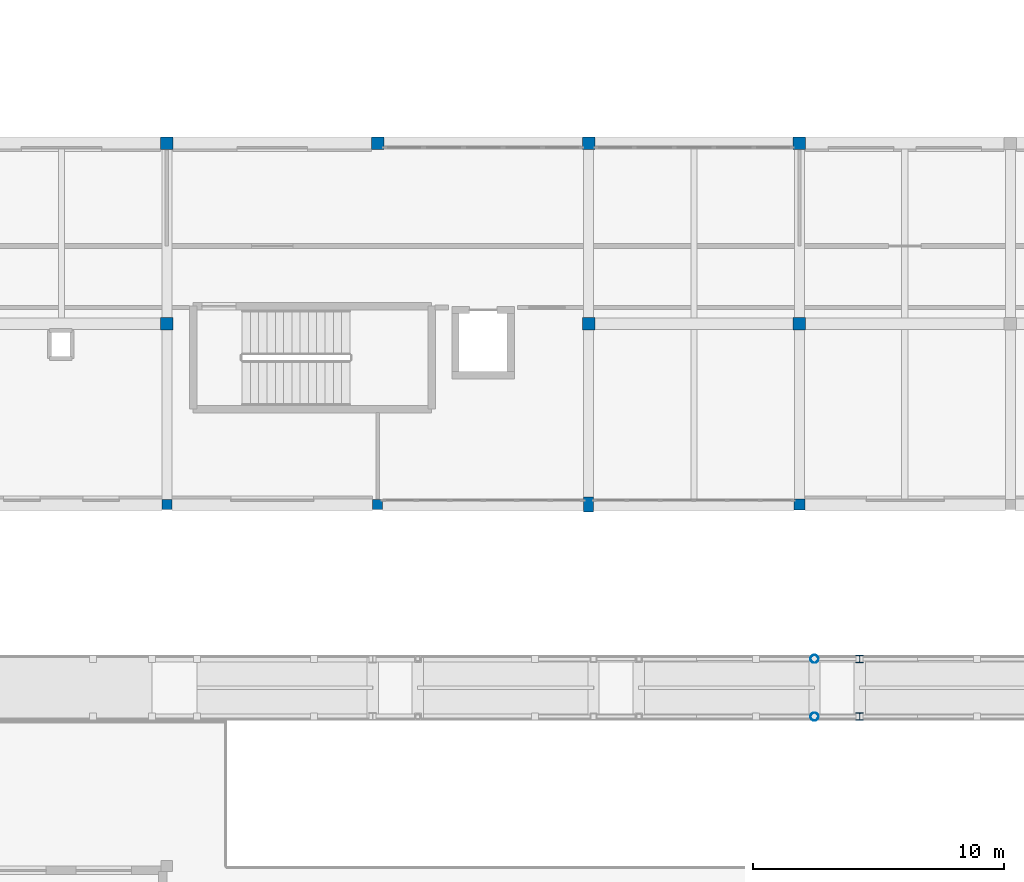
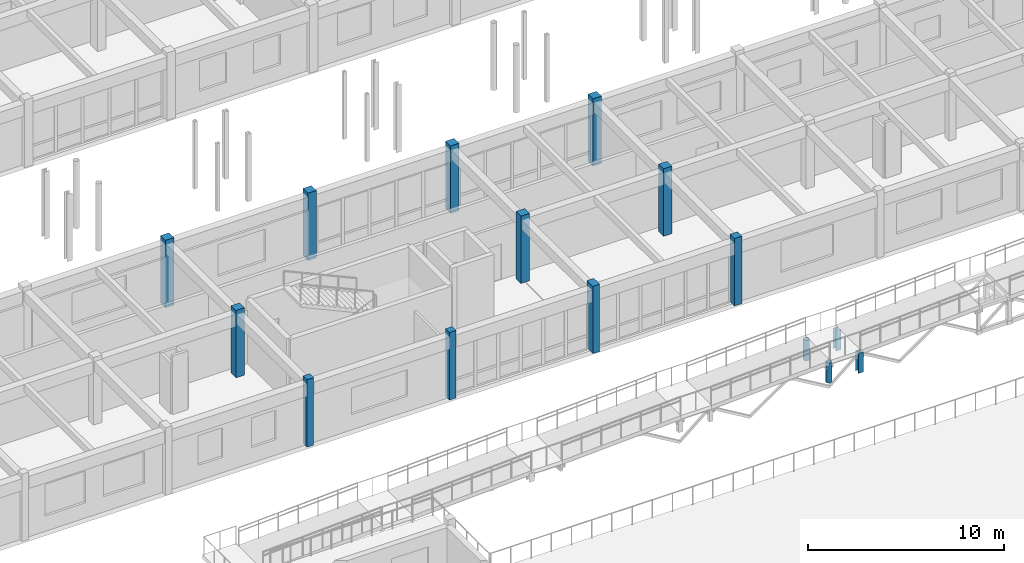
# One storey, part 2 of 90: 15 columns.
"""IFC4 building model written with IfcOpenShell, lengths in metres."""

from ifc_helpers import new_model, si_unit, direction, frame, origin, origin_2d, place, context, subcontext, project, spatial, rectangle, hollow_circle, i_section, extrude, material, material_profile, profile_set, type_object, element, save


model = new_model("IFC4")

# Units and contexts
model_context = context("Model", 3, precision=1e-05, world=origin(), true_north=direction((0.0, 1.0)))
body_context = subcontext(model_context, "Body", "Model", "MODEL_VIEW")
ifc_project = project(units=[si_unit("LENGTHUNIT", "METRE"), si_unit("AREAUNIT", "SQUARE_METRE"), si_unit("VOLUMEUNIT", "CUBIC_METRE"), si_unit("PLANEANGLEUNIT", "RADIAN"), si_unit("MASSUNIT", "GRAM", prefix="KILO")], contexts=[model_context])

# Site, building, storey
site_placement = place(None, origin())
site = spatial("IfcSite", under=ifc_project, at=site_placement, CompositionType="ELEMENT")
building_placement = place(site_placement, origin())
building = spatial("IfcBuilding", under=site, at=building_placement, Name="Malvenik Polytechnic", CompositionType="ELEMENT")
storey_placement = place(building_placement, frame((0.0, 0.0, 9.300048828125)))
storey = spatial("IfcBuildingStorey", under=building, at=storey_placement, Name="L02", CompositionType="ELEMENT", Elevation=9.300048828125)

# Columns
ifc_material_1 = material(Name="Concrete C35/45", Category="concrete")
ifc_material_profile_1 = material_profile(ifc_material_1, rectangle(XDim=0.5, YDim=0.5, at=origin_2d()), Name="RC COL 500x500")
ifc_profile_set_1 = profile_set([ifc_material_profile_1], Name="Concrete C35/45")
column_type_1 = type_object("IfcColumnType", Name="STR-COL-C-08", PredefinedType="COLUMN", material=ifc_profile_set_1)
for number, where, z_axis, x_axis, name in (
    (1, (33.60009765625, 57.60009765625, 0.0), (0.0, 0.0, 1.0), (1.0, 0.0, 0.0), "Column C-08 L02 (33.6,57.6)"),
    (2, (33.60009765625, 64.800048828125, 0.0), (0.0, 0.0, 1.0), (1.0, 0.0, 0.0), "Column C-08 L02 (33.6,64.8)"),
    (3, (42.0, 64.800048828125, 0.0), (0.0, 0.0, 1.0), (1.0, 0.0, 0.0), "Column C-08 L02 (42.0,64.8)"),
    (4, (50.39990234375, 57.60009765625, 0.0), (0.0, 0.0, 1.0), (1.0, 0.0, 0.0), "Column C-08 L02 (50.4,57.6)"),
    (5, (50.39990234375, 64.800048828125, 0.0), (0.0, 0.0, 1.0), (1.0, 0.0, 0.0), "Column C-08 L02 (50.4,64.8)"),
    (6, (58.800048828125, 57.60009765625, 0.0), (0.0, 0.0, 1.0), (1.0, 0.0, 0.0), "Column C-08 L02 (58.8,57.6)"),
    (7, (58.800048828125, 64.800048828125, 0.0), (0.0, 0.0, 1.0), (1.0, 0.0, 0.0), "Column C-08 L02 (58.8,64.8)"),
):
    element("IfcColumn", number, at=place(storey_placement, frame(where, z_axis=z_axis, x_axis=x_axis)), inside=storey, type_object=column_type_1, Name=name, PredefinedType="COLUMN", context=body_context, shape_type="SweptSolid", body=[
        extrude(rectangle(XDim=0.5, YDim=0.5, at=origin_2d()), origin(), (0.0, 0.0, 1.0), 4.199951171875),
    ])
ifc_material_profile_2 = material_profile(ifc_material_1, rectangle(XDim=0.449951171875, YDim=0.449951171875, at=origin_2d()), Name="RC COL 450x450")
ifc_profile_set_2 = profile_set([ifc_material_profile_2], Name="Concrete C35/45")
column_type_2 = type_object("IfcColumnType", Name="STR-COL-C-09", PredefinedType="COLUMN", material=ifc_profile_set_2)
column_1_placement = place(storey_placement, frame((58.800048828125, 50.39990234375, 0.0), z_axis=(0.0, 0.0, 1.0), x_axis=(1.0, 0.0, 0.0)))
element("IfcColumn", 8, at=column_1_placement, inside=storey, type_object=column_type_2, Name="Column C-09 L02 (58.8,50.4)", PredefinedType="COLUMN", context=body_context, shape_type="SweptSolid", body=[
    extrude(rectangle(XDim=0.449951171875, YDim=0.449951171875, at=origin_2d()), origin(), (0.0, 0.0, 1.0), 4.199951171875),
])
ifc_material_2 = material(Name="Concrete C30/37", Category="concrete")
ifc_material_profile_3 = material_profile(ifc_material_2, rectangle(XDim=0.39990234375, YDim=0.39990234375, at=origin_2d()), Name="RC COL 400x400")
ifc_profile_set_3 = profile_set([ifc_material_profile_3], Name="Concrete C30/37")
column_type_3 = type_object("IfcColumnType", Name="STR-COL-C-10", PredefinedType="COLUMN", material=ifc_profile_set_3)
for number, where, z_axis, x_axis, name in (
    (9, (33.60009765625, 50.39990234375, 0.0), (0.0, 0.0, 1.0), (1.0, 0.0, 0.0), "Column C-10 L02 (33.6,50.4)"),
    (10, (42.0, 50.39990234375, 0.0), (0.0, 0.0, 1.0), (1.0, 0.0, 0.0), "Column C-10 L02 (42.0,50.4)"),
):
    element("IfcColumn", number, at=place(storey_placement, frame(where, z_axis=z_axis, x_axis=x_axis)), inside=storey, type_object=column_type_3, Name=name, PredefinedType="COLUMN", context=body_context, shape_type="SweptSolid", body=[
        extrude(rectangle(XDim=0.39990234375, YDim=0.39990234375, at=origin_2d()), origin(), (0.0, 0.0, 1.0), 4.199951171875),
    ])
ifc_material_profile_4 = material_profile(ifc_material_1, rectangle(XDim=0.39990234375, YDim=0.60009765625, at=origin_2d()), Name="RC COL 600x400")
ifc_profile_set_4 = profile_set([ifc_material_profile_4], Name="Concrete C35/45")
column_type_4 = type_object("IfcColumnType", Name="STR-COL-C-15", PredefinedType="COLUMN", material=ifc_profile_set_4)
column_2_placement = place(storey_placement, frame((50.39990234375, 50.39990234375, 0.0), z_axis=(0.0, 0.0, 1.0), x_axis=(1.0, 0.0, 0.0)))
element("IfcColumn", 11, at=column_2_placement, inside=storey, type_object=column_type_4, Name="Column C-15 L02 (50.4,50.4)", PredefinedType="COLUMN", context=body_context, shape_type="SweptSolid", body=[
    extrude(rectangle(XDim=0.39990234375, YDim=0.60009765625, at=origin_2d()), origin(), (0.0, 0.0, 1.0), 4.199951171875),
])
ifc_material_3 = material(Name="Steel S355J2H", Category="steel")
ifc_material_profile_5 = material_profile(ifc_material_3, hollow_circle(Radius=0.161865234375, WallThickness=0.012451171875, at=origin_2d()), Name="CHS 323.9x12.5")
ifc_profile_set_5 = profile_set([ifc_material_profile_5], Name="Steel S355J2H")
column_type_5 = type_object("IfcColumnType", Name="STR-SCOL-SC-04", PredefinedType="COLUMN", material=ifc_profile_set_5)
for number, where, z_axis, x_axis, name in (
    (12, (59.39990234375, 41.949951171875, 0.0), (0.0, 0.0, 1.0), (1.0, 0.0, 0.0), "Bridge-Ramp Support Column SC-04 L02"),
    (13, (59.39990234375, 44.25, 0.0), (0.0, 0.0, 1.0), (1.0, 0.0, 0.0), "Bridge-Ramp Support Column SC-04 L02"),
):
    element("IfcColumn", number, at=place(storey_placement, frame(where, z_axis=z_axis, x_axis=x_axis)), inside=storey, type_object=column_type_5, Name=name, PredefinedType="COLUMN", context=body_context, shape_type="SweptSolid", body=[
        extrude(hollow_circle(Radius=0.161865234375, WallThickness=0.012451171875, at=origin_2d()), origin(), (0.0, 0.0, 1.0), 1.260009765625),
    ])
ifc_material_4 = material(Name="Steel S355", Category="steel")
ifc_material_profile_6 = material_profile(ifc_material_4, i_section(OverallWidth=0.300048828125, OverallDepth=0.300048828125, WebThickness=0.010986328125, FlangeThickness=0.01904296875, FilletRadius=0.027099609375, at=origin_2d()), Name="HEB 300")
ifc_profile_set_6 = profile_set([ifc_material_profile_6], Name="Steel S355")
column_type_6 = type_object("IfcColumnType", Name="STR-SCOL-SC-05", PredefinedType="COLUMN", material=ifc_profile_set_6)
for number, where, z_axis, x_axis, name in (
    (14, (61.199951171875, 41.949951171875, 0.0), (0.0, 0.0, 1.0), (1.0, 0.0, 0.0), "Bridge-Ramp Support Column SC-05 L02"),
    (15, (61.199951171875, 44.25, 0.0), (0.0, 0.0, 1.0), (1.0, 0.0, 0.0), "Bridge-Ramp Support Column SC-05 L02"),
):
    element("IfcColumn", number, at=place(storey_placement, frame(where, z_axis=z_axis, x_axis=x_axis)), inside=storey, type_object=column_type_6, Name=name, PredefinedType="COLUMN", context=body_context, shape_type="SweptSolid", body=[
        extrude(i_section(OverallWidth=0.300048828125, OverallDepth=0.300048828125, WebThickness=0.010986328125, FlangeThickness=0.01904296875, FilletRadius=0.027099609375, at=origin_2d()), origin(), (0.0, 0.0, 1.0), 1.260009765625),
    ])

save(model, "model.ifc")
